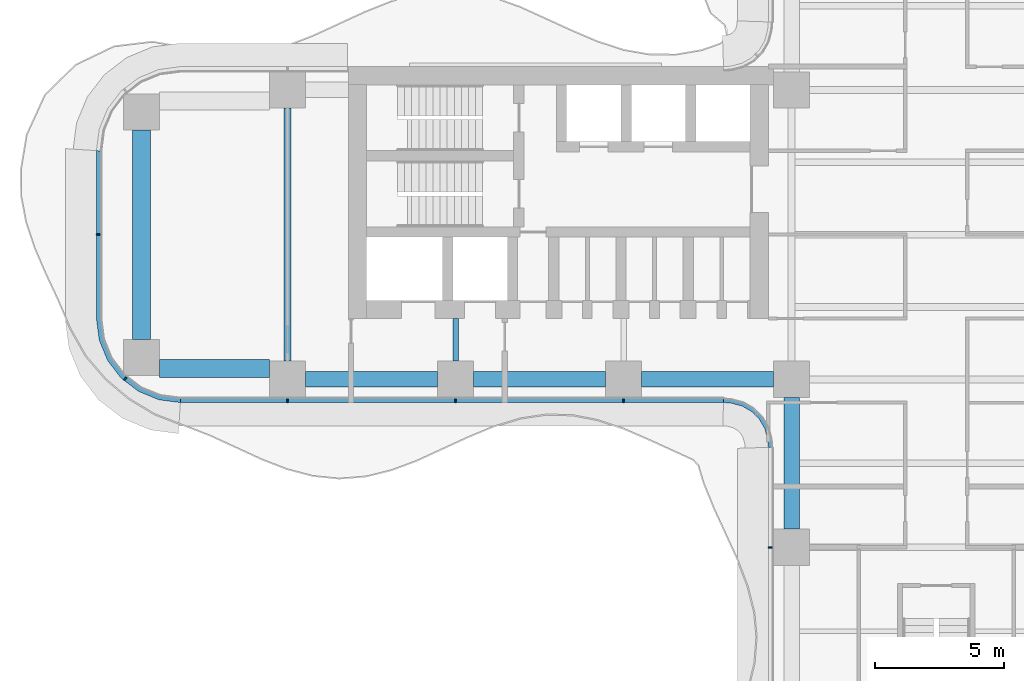
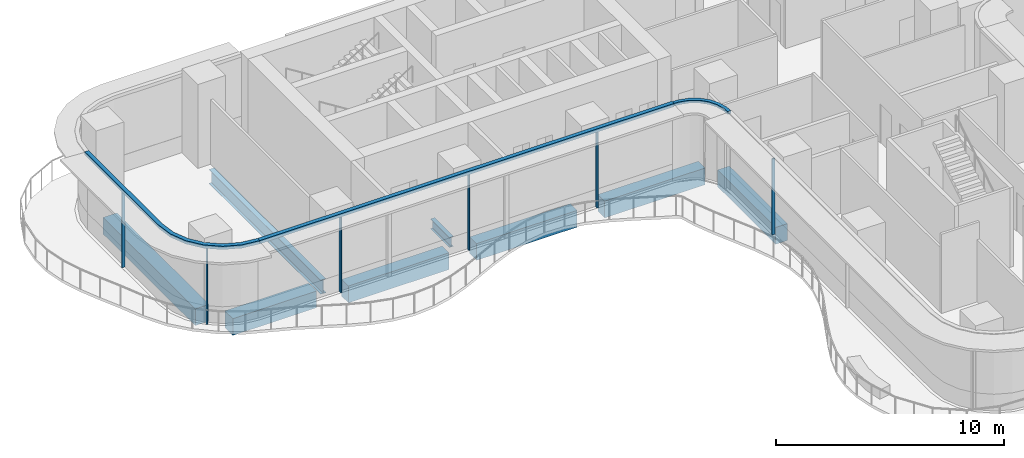
# One storey, part 3 of 22: 9 members, 8 beams, 4 elements without a shape of their own.
"""IFC4 building model written with IfcOpenShell, lengths in metres."""

import ifcopenshell
import ifcopenshell.guid

model = None  # the IFC model being written
_history = None  # IfcOwnerHistory: only IFC2X3 demands one
_inside = {}  # id of a spatial element -> (the spatial element, [elements in it])
_under = {}  # id of a project, library or spatial element -> (it, [spatial elements below it])
_declared = {}  # id of a project -> (the project, [libraries it declares])
_typed = {}  # id of a type object -> (the type object, [elements of that type])
_made_of = {}  # id of a material, layer set ... -> (it, [elements and type objects made of it])


def new_model(schema):
    """Start an empty IFC model of exactly this schema.

    Asked for "IFC4X3", IfcOpenShell would pick the latest addendum, in which some entities
    have other attributes; the version numbers below select the first issue.
    IFC2X3 requires an IfcOwnerHistory on every rooted entity: one is made here for all.
    """
    global model, _history
    if schema == "IFC4X3":
        model = ifcopenshell.file(schema_version=(4, 3, 0, 0))
    else:
        model = ifcopenshell.file(schema=schema)
    _inside.clear()
    _under.clear()
    _declared.clear()
    _typed.clear()
    _made_of.clear()
    _history = None
    if model.schema == "IFC2X3":
        org = make("IfcOrganization", Name="unknown")
        user = make(
            "IfcPersonAndOrganization",
            ThePerson=make("IfcPerson", FamilyName="unknown"),
            TheOrganization=org,
        )
        app = make(
            "IfcApplication",
            ApplicationDeveloper=org,
            Version="unknown",
            ApplicationFullName="unknown",
            ApplicationIdentifier="unknown",
        )
        _history = make(
            "IfcOwnerHistory",
            OwningUser=user,
            OwningApplication=app,
            ChangeAction="ADDED",
            CreationDate=0,
        )
    return model


def make(cls, **values):
    """One entity of the class cls with the attributes given. An attribute that is None is left unset."""
    return model.create_entity(
        cls, **{name: value for name, value in values.items() if value is not None}
    )


def rooted(cls, **values):
    """An entity with a GlobalId (a new one), such as an element, a storey or a relation."""
    return make(cls, GlobalId=ifcopenshell.guid.new(), OwnerHistory=_history, **values)


def si_unit(unit_type, name, prefix=None):
    """IfcSIUnit, for example si_unit("LENGTHUNIT", "METRE", prefix="MILLI")."""
    return make("IfcSIUnit", UnitType=unit_type, Prefix=prefix, Name=name)


def assignment(units):
    """IfcUnitAssignment: the units of a project."""
    return None if units is None else make("IfcUnitAssignment", Units=units)


def point(xyz):
    """IfcCartesianPoint."""
    return None if xyz is None else make("IfcCartesianPoint", Coordinates=xyz)


def direction(xyz):
    """IfcDirection."""
    return None if xyz is None else make("IfcDirection", DirectionRatios=xyz)


def frame(location, z_axis=None, x_axis=None):
    """IfcAxis2Placement3D, a coordinate frame: its origin and axes. An axis left out is left unset."""
    return make(
        "IfcAxis2Placement3D",
        Location=point(location),
        Axis=direction(z_axis),
        RefDirection=direction(x_axis),
    )


def frame_2d(location, x_axis=None):
    """IfcAxis2Placement2D, a coordinate frame in the plane: its origin and x axis."""
    return make(
        "IfcAxis2Placement2D", Location=point(location), RefDirection=direction(x_axis)
    )


def origin():
    """The frame at (0, 0, 0) with its axes left unset."""
    return frame((0.0, 0.0, 0.0))


def origin_2d():
    """The frame at (0, 0) in the plane with its x axis left unset."""
    return frame_2d((0.0, 0.0))


def place(relative_to, where):
    """IfcLocalPlacement: puts the frame where relative to a parent placement (None: the world)."""
    return make(
        "IfcLocalPlacement", PlacementRelTo=relative_to, RelativePlacement=where
    )


def context(
    kind, dimensions, precision=None, world=None, true_north=None, identifier=None
):
    """IfcGeometricRepresentationContext, for example the 3D "Model" context."""
    return make(
        "IfcGeometricRepresentationContext",
        ContextIdentifier=identifier,
        ContextType=kind,
        CoordinateSpaceDimension=dimensions,
        Precision=precision,
        WorldCoordinateSystem=world,
        TrueNorth=true_north,
    )


def subcontext(parent, identifier, kind, view, scale=None):
    """IfcGeometricRepresentationSubContext, for example "Body" below "Model"."""
    return make(
        "IfcGeometricRepresentationSubContext",
        ContextIdentifier=identifier,
        ContextType=kind,
        ParentContext=parent,
        TargetScale=scale,
        TargetView=view,
    )


def project(units=None, contexts=None):
    """IfcProject with its units and contexts."""
    return rooted(
        "IfcProject",
        Name="project",
        RepresentationContexts=contexts,
        UnitsInContext=assignment(units),
    )


def spatial(cls, under=None, at=None, **own):
    """A site, building, storey or space (cls), placed at a placement, below another one or the project."""
    s = rooted(cls, ObjectPlacement=at, **own)
    if under is not None:
        _under.setdefault(under.id(), (under, []))[1].append(s)
    return s


def polyline(points):
    """IfcPolyline through the points."""
    return make("IfcPolyline", Points=[point(p) for p in points])


def profile(cls, at=None, kind="AREA", **sizes):
    """A parametric profile (cls). Its sizes go by their IFC names, for example OverallWidth=200.0."""
    return make(cls, ProfileType=kind, Position=at, **sizes)


def rectangle(**sizes):
    """IfcRectangleProfileDef."""
    return profile("IfcRectangleProfileDef", **sizes)


def i_section(**sizes):
    """IfcIShapeProfileDef."""
    return profile("IfcIShapeProfileDef", **sizes)


def outline(outer, holes=None, kind="AREA"):
    """IfcArbitraryClosedProfileDef: a profile drawn as a closed curve; with holes, ...WithVoids."""
    if holes is None:
        return make("IfcArbitraryClosedProfileDef", ProfileType=kind, OuterCurve=outer)
    return make(
        "IfcArbitraryProfileDefWithVoids",
        ProfileType=kind,
        OuterCurve=outer,
        InnerCurves=holes,
    )


def extrude(swept, where, along, depth):
    """IfcExtrudedAreaSolid: the profile swept, set in the frame where, extruded along a direction by depth."""
    return make(
        "IfcExtrudedAreaSolid",
        SweptArea=swept,
        Position=where,
        ExtrudedDirection=direction(along),
        Depth=depth,
    )


def shape(context_of_items, identifier, shape_type, items):
    """IfcShapeRepresentation: the items that make up one representation, for example the "Body"."""
    return make(
        "IfcShapeRepresentation",
        ContextOfItems=context_of_items,
        RepresentationIdentifier=identifier,
        RepresentationType=shape_type,
        Items=items,
    )


def source(mapping_origin, context_of_items, identifier, shape_type, items):
    """IfcRepresentationMap: a shape defined once, which mapped items show again and again."""
    return make(
        "IfcRepresentationMap",
        MappingOrigin=mapping_origin,
        MappedRepresentation=shape(context_of_items, identifier, shape_type, items),
    )


def transform(
    local_origin,
    x_axis=None,
    y_axis=None,
    z_axis=None,
    scale=None,
    scale2=None,
    scale3=None,
    uniform=True,
):
    """IfcCartesianTransformationOperator3D, or its non-uniform kind. x_axis, y_axis, z_axis: its Axis1, 2, 3."""
    if uniform:
        return make(
            "IfcCartesianTransformationOperator3D",
            Axis1=direction(x_axis),
            Axis2=direction(y_axis),
            LocalOrigin=point(local_origin),
            Scale=scale,
            Axis3=direction(z_axis),
        )
    return make(
        "IfcCartesianTransformationOperator3DnonUniform",
        Axis1=direction(x_axis),
        Axis2=direction(y_axis),
        LocalOrigin=point(local_origin),
        Scale=scale,
        Axis3=direction(z_axis),
        Scale2=scale2,
        Scale3=scale3,
    )


def mapped(mapping_source, mapping_target):
    """IfcMappedItem: shows the shape of a source again, moved by a transform."""
    return make(
        "IfcMappedItem", MappingSource=mapping_source, MappingTarget=mapping_target
    )


def material(Name=None, Category=None):
    """IfcMaterial."""
    return make("IfcMaterial", Name=Name, Category=Category)


def layer(
    of_material, thickness, ventilated=None, Name=None, Category=None, Priority=None
):
    """IfcMaterialLayer: one layer of a wall or slab, of a material (None: an air gap)."""
    return make(
        "IfcMaterialLayer",
        Material=of_material,
        LayerThickness=thickness,
        IsVentilated=ventilated,
        Name=Name,
        Category=Category,
        Priority=Priority,
    )


def layer_set(layers, Name=None):
    """IfcMaterialLayerSet."""
    return make("IfcMaterialLayerSet", MaterialLayers=layers, LayerSetName=Name)


def material_profile(
    of_material, cross_section, Name=None, Category=None, Priority=None
):
    """IfcMaterialProfile: a cross section and its material."""
    return make(
        "IfcMaterialProfile",
        Name=Name,
        Material=of_material,
        Profile=cross_section,
        Priority=Priority,
        Category=Category,
    )


def profile_set(profiles, Name=None, composite=None):
    """IfcMaterialProfileSet."""
    return make(
        "IfcMaterialProfileSet",
        Name=Name,
        MaterialProfiles=profiles,
        CompositeProfile=composite,
    )


def made_of(thing, what):
    """Note that an element or type object is made of a material, layer set ...; save() writes the relation."""
    if what is not None:
        _made_of.setdefault(what.id(), (what, []))[1].append(thing)
    return thing


def type_object(cls, material=None, **own):
    """A type object (cls), such as IfcWallType, which elements share."""
    return made_of(rooted(cls, **own), material)


def element(
    cls,
    number,
    at=None,
    inside=None,
    cuts=None,
    type_object=None,
    material=None,
    context=None,
    identifier="Body",
    shape_type=None,
    held_by="IfcProductDefinitionShape",
    body=None,
    shapes=None,
    **own,
):
    """One element of the class cls, such as IfcWall. Its Tag is "e" and its number.

    at: its placement. inside: the storey or other place that contains it. cuts: it is an
    opening in that element (IfcRelVoidsElement). A single representation is given by context,
    identifier, shape_type and body (its items); several are given by shapes. held_by: the class
    of the entity that holds the representations. save() writes the other relations.
    """
    e = rooted(cls, Tag="e%d" % number, ObjectPlacement=at, **own)
    if body is not None:
        shapes = [shape(context, identifier, shape_type, body)]
    if shapes is not None:
        e.Representation = make(held_by, Representations=shapes)
    if inside is not None:
        _inside.setdefault(inside.id(), (inside, []))[1].append(e)
    if cuts is not None:
        rooted(
            "IfcRelVoidsElement", RelatingBuildingElement=cuts, RelatedOpeningElement=e
        )
    if type_object is not None:
        _typed.setdefault(type_object.id(), (type_object, []))[1].append(e)
    return made_of(e, material)


def aggregate(whole, parts):
    """IfcRelAggregates: a whole, such as a stair, and the parts it consists of."""
    return rooted("IfcRelAggregates", RelatingObject=whole, RelatedObjects=parts)


def save(model, path):
    """Write the relations noted so far, then the file.

    IfcRelAggregates (storeys below a building ...), IfcRelContainedInSpatialStructure (elements
    in a storey), IfcRelDefinesByType, IfcRelAssociatesMaterial and IfcRelDeclares: one each for
    every whole, place, type object, material and project.
    """
    for whole, parts in _under.values():
        aggregate(whole, parts)
    for where, things in _inside.values():
        rooted(
            "IfcRelContainedInSpatialStructure",
            RelatedElements=things,
            RelatingStructure=where,
        )
    for kind, things in _typed.values():
        rooted("IfcRelDefinesByType", RelatedObjects=things, RelatingType=kind)
    for what, things in _made_of.values():
        rooted("IfcRelAssociatesMaterial", RelatedObjects=things, RelatingMaterial=what)
    for by, libraries in _declared.values():
        rooted("IfcRelDeclares", RelatingContext=by, RelatedDefinitions=libraries)
    model.write(path)


model = new_model("IFC4")

# Units and contexts
model_context = context("Model", 3, precision=1e-05, world=origin(), true_north=direction((0.0, 1.0)))
body_context = subcontext(model_context, "Body", "Model", "MODEL_VIEW")
ifc_project = project(units=[si_unit("LENGTHUNIT", "METRE"), si_unit("AREAUNIT", "SQUARE_METRE"), si_unit("VOLUMEUNIT", "CUBIC_METRE"), si_unit("PLANEANGLEUNIT", "RADIAN"), si_unit("MASSUNIT", "GRAM", prefix="KILO")], contexts=[model_context])

# Site, building, storey
site_placement = place(None, origin())
site = spatial("IfcSite", under=ifc_project, at=site_placement, CompositionType="ELEMENT")
building_placement = place(site_placement, origin())
building = spatial("IfcBuilding", under=site, at=building_placement, Name="Trellis Farm Tower", CompositionType="ELEMENT")
storey_placement = place(building_placement, frame((0.0, 0.0, 47.5)))
storey = spatial("IfcBuildingStorey", under=building, at=storey_placement, Name="L09", CompositionType="ELEMENT", Elevation=47.5)

# Beams
ifc_material_1 = material(Name="Concrete C60/75", Category="concrete")
ifc_material_profile_1 = material_profile(ifc_material_1, rectangle(XDim=0.60009765625, YDim=0.89990234375, at=origin_2d()), Name="RC spandrel beam 600x900 C60/75")
ifc_profile_set_1 = profile_set([ifc_material_profile_1], Name="Concrete C60/75")
beam_type_1 = type_object("IfcBeamType", Name="RC spandrel beam 600x900 C60/75", PredefinedType="SPANDREL", material=ifc_profile_set_1)
shared_shape_1 = source(origin(), body_context, "Body", "SweptSolid", [
    extrude(rectangle(XDim=0.60009765625, YDim=0.89990234375, at=origin_2d()), origin(), (0.0, 0.0, 1.0), 5.099853515625),
])
for number, where, z_axis, x_axis, name in (
    (1, (-24.39990234375, -5.60009765625, -0.699951171875), (1.0, 0.0, 0.0), (0.0, 1.0, 0.0), "Girder"),
    (2, (-17.89990234375, -5.60009765625, -0.699951171875), (1.0, 0.0, 0.0), (0.0, 1.0, 0.0), "Girder"),
    (3, (-11.39990234375, -5.60009765625, -0.699951171875), (1.0, 0.0, 0.0), (0.0, 1.0, 0.0), "Girder"),
    (4, (-5.60009765625, -11.39990234375, -0.699951171875), (0.0, 1.0, 0.0), (-1.0, 0.0, 0.0), "Girder"),
):
    element("IfcBeam", number, at=place(storey_placement, frame(where, z_axis=z_axis, x_axis=x_axis)), inside=storey, type_object=beam_type_1, Name=name, PredefinedType="SPANDREL", context=body_context, shape_type="MappedRepresentation", body=[
        mapped(shared_shape_1, transform((0.0, 0.0, 0.0))),
    ])
ifc_material_2 = material(Name="Steel S355", Category="steel")
ifc_material_profile_2 = material_profile(ifc_material_2, i_section(OverallWidth=0.2666015625, OverallDepth=0.76220703125, WebThickness=0.014404296875, FlangeThickness=0.021484375, FilletRadius=0.0166015625, at=origin_2d()), Name="UB 762x267x173")
ifc_profile_set_2 = profile_set([ifc_material_profile_2], Name="Steel S355")
beam_type_2 = type_object("IfcBeamType", Name="UB 762x267x173", PredefinedType="BEAM", material=ifc_profile_set_2)
shared_shape_2 = source(origin(), body_context, "Body", "SweptSolid", [
    extrude(i_section(OverallWidth=0.2666015625, OverallDepth=0.76220703125, WebThickness=0.014404296875, FlangeThickness=0.021484375, FilletRadius=0.0166015625, at=origin_2d()), origin(), (0.0, 0.0, 1.0), 9.7998046875),
])
beam_1_placement = place(storey_placement, frame((-25.10009765625, -4.89990234375, -0.631103515625), z_axis=(0.0, 1.0, 0.0), x_axis=(-1.0, 0.0, 0.0)))
element("IfcBeam", 5, at=beam_1_placement, inside=storey, type_object=beam_type_2, Name="Girder", PredefinedType="BEAM", context=body_context, shape_type="MappedRepresentation", body=[
    mapped(shared_shape_2, transform((0.0, 0.0, 0.0))),
])
ifc_material_profile_3 = material_profile(ifc_material_1, rectangle(XDim=0.699951171875, YDim=0.89990234375, at=origin_2d()), Name="RC spandrel beam 700x900 C60/75")
ifc_profile_set_3 = profile_set([ifc_material_profile_3], Name="Concrete C60/75")
beam_type_3 = type_object("IfcBeamType", Name="RC spandrel beam 700x900 C60/75", PredefinedType="SPANDREL", material=ifc_profile_set_3)
shared_shape_3 = source(origin(), body_context, "Body", "SweptSolid", [
    extrude(rectangle(XDim=0.699951171875, YDim=0.89990234375, at=origin_2d()), origin(), (0.0, 0.0, 1.0), 4.25),
])
beam_2_placement = place(storey_placement, frame((-30.050048828125, -5.175048828125, -0.699951171875), z_axis=(1.0, 0.0, 0.0), x_axis=(0.0, 1.0, 0.0)))
element("IfcBeam", 6, at=beam_2_placement, inside=storey, type_object=beam_type_3, Name="Girder", PredefinedType="SPANDREL", context=body_context, shape_type="MappedRepresentation", body=[
    mapped(shared_shape_3, transform((0.0, 0.0, 0.0))),
])
shared_shape_4 = source(origin(), body_context, "Body", "SweptSolid", [
    extrude(rectangle(XDim=0.699951171875, YDim=0.89990234375, at=origin_2d()), origin(), (0.0, 0.0, 1.0), 8.10009765625),
])
beam_3_placement = place(storey_placement, frame((-30.75, -4.050048828125, -0.699951171875), z_axis=(0.0, 1.0, 0.0), x_axis=(-1.0, 0.0, 0.0)))
element("IfcBeam", 7, at=beam_3_placement, inside=storey, type_object=beam_type_3, Name="Girder", PredefinedType="SPANDREL", context=body_context, shape_type="MappedRepresentation", body=[
    mapped(shared_shape_4, transform((0.0, 0.0, 0.0))),
])
ifc_material_profile_4 = material_profile(ifc_material_2, i_section(OverallWidth=0.209228515625, OverallDepth=0.533203125, WebThickness=0.010009765625, FlangeThickness=0.015625, FilletRadius=0.0126953125, at=origin_2d()), Name="UB 533x210x92")
ifc_profile_set_4 = profile_set([ifc_material_profile_4], Name="Steel S355")
beam_type_4 = type_object("IfcBeamType", Name="UB 533x210x92", PredefinedType="BEAM", material=ifc_profile_set_4)
shared_shape_5 = source(origin(), body_context, "Body", "SweptSolid", [
    extrude(i_section(OverallWidth=0.209228515625, OverallDepth=0.533203125, WebThickness=0.010009765625, FlangeThickness=0.015625, FilletRadius=0.0126953125, at=origin_2d()), origin(), (0.0, 0.0, 1.0), 1.64990234375),
])
beam_4_placement = place(storey_placement, frame((-18.60009765625, -4.89990234375, -0.5166015625), z_axis=(0.0, 1.0, 0.0), x_axis=(-1.0, 0.0, 0.0)))
element("IfcBeam", 8, at=beam_4_placement, inside=storey, type_object=beam_type_4, Name="Girder", PredefinedType="BEAM", context=body_context, shape_type="MappedRepresentation", body=[
    mapped(shared_shape_5, transform((0.0, 0.0, 0.0))),
])

# Curtain wall, members
ifc_material_3 = material(Name="Aluminium and glass curtain wall", Category="aluminium")
ifc_layer_1 = layer(ifc_material_3, 0.18994140625)
ifc_layer_set_1 = layer_set([ifc_layer_1], Name="RIBBON CURTAIN WALL CW1")
curtain_wall_type_1 = type_object("IfcCurtainWallType", Name="RIBBON CURTAIN WALL CW1", PredefinedType="NOTDEFINED", material=ifc_layer_set_1)
placement_1 = place(storey_placement, origin())
curtain_wall_1 = element("IfcCurtainWall", 9, at=placement_1, inside=storey, type_object=curtain_wall_type_1, Name="CW1 001", PredefinedType="NOTDEFINED")
ifc_material_4 = material(Name="Aluminium extrusion 6063-T6", Category="aluminium")
ifc_material_profile_5 = material_profile(ifc_material_4, rectangle(XDim=0.06005859375, YDim=0.14990234375, at=origin_2d()), Name="MULLION 60x150")
ifc_profile_set_5 = profile_set([ifc_material_profile_5], Name="Aluminium extrusion 6063-T6")
member_type_1 = type_object("IfcMemberType", Name="CW1 MULLION 60x150", PredefinedType="MULLION", material=ifc_profile_set_5)
shared_shape_6 = source(origin(), body_context, "Body", "SweptSolid", [
    extrude(rectangle(XDim=0.06005859375, YDim=0.14990234375, at=origin_2d()), origin(), (0.0, 0.0, 1.0), 4.070068359375),
])
member_1_placement = place(storey_placement, frame((-25.10009765625, -6.425048828125, 0.0), z_axis=(0.0, 0.0, 1.0), x_axis=(1.0, 0.0, 0.0)))
member_1 = element("IfcMember", 10, at=member_1_placement, type_object=member_type_1, Name="MU1 001-01", PredefinedType="MULLION", context=body_context, shape_type="MappedRepresentation", body=[
    mapped(shared_shape_6, transform((0.0, 0.0, 0.0))),
])
member_2_placement = place(storey_placement, frame((-18.60009765625, -6.425048828125, 0.0), z_axis=(0.0, 0.0, 1.0), x_axis=(1.0, 0.0, 0.0)))
member_2 = element("IfcMember", 11, at=member_2_placement, type_object=member_type_1, Name="MU1 001-02", PredefinedType="MULLION", context=body_context, shape_type="MappedRepresentation", body=[
    mapped(shared_shape_6, transform((0.0, 0.0, 0.0))),
])
member_3_placement = place(storey_placement, frame((-12.10009765625, -6.425048828125, 0.0), z_axis=(0.0, 0.0, 1.0), x_axis=(1.0, 0.0, 0.0)))
member_3 = element("IfcMember", 12, at=member_3_placement, type_object=member_type_1, Name="MU1 001-03", PredefinedType="MULLION", context=body_context, shape_type="MappedRepresentation", body=[
    mapped(shared_shape_6, transform((0.0, 0.0, 0.0))),
])

# Curtain wall, member
curtain_wall_2 = element("IfcCurtainWall", 13, at=placement_1, inside=storey, type_object=curtain_wall_type_1, Name="CW1 002", PredefinedType="NOTDEFINED")
member_4_placement = place(storey_placement, frame((-6.425048828125, -12.10009765625, 0.0), z_axis=(0.0, 0.0, 1.0), x_axis=(0.0, -1.0, 0.0)))
member_4 = element("IfcMember", 14, at=member_4_placement, type_object=member_type_1, Name="MU1 002-01", PredefinedType="MULLION", context=body_context, shape_type="MappedRepresentation", body=[
    mapped(shared_shape_6, transform((0.0, 0.0, 0.0))),
])
aggregate(curtain_wall_2, [member_4])

# Curtain wall, members
curtain_wall_3 = element("IfcCurtainWall", 15, at=placement_1, inside=storey, type_object=curtain_wall_type_1, Name="CW1 013", PredefinedType="NOTDEFINED")
member_5_placement = place(storey_placement, frame((-32.425048828125, 0.0, 0.0), z_axis=(0.0, 0.0, 1.0), x_axis=(0.0, -1.0, 0.0)))
member_5 = element("IfcMember", 16, at=member_5_placement, type_object=member_type_1, Name="MU1 013-01", PredefinedType="MULLION", context=body_context, shape_type="MappedRepresentation", body=[
    mapped(shared_shape_6, transform((0.0, 0.0, 0.0))),
])
member_6_placement = place(storey_placement, frame((-31.385498046875, -5.578369140625, 0.0), z_axis=(0.0, 0.0, 1.0), x_axis=(0.793353340291, -0.608761429009, 0.0)))
member_6 = element("IfcMember", 17, at=member_6_placement, type_object=member_type_1, Name="MU1 013-02", PredefinedType="MULLION", context=body_context, shape_type="MappedRepresentation", body=[
    mapped(shared_shape_6, transform((0.0, 0.0, 0.0))),
])

# Member
ifc_layer_2 = layer(ifc_material_4, 0.199951171875)
ifc_layer_set_2 = layer_set([ifc_layer_2], Name="Aluminium extrusion 6063-T6")
member_type_2 = type_object("IfcMemberType", Name="CW1 TRANSOM 200x180", PredefinedType="USERDEFINED", material=ifc_layer_set_2)
shared_shape_7 = source(origin(), body_context, "Body", "SweptSolid", [
    extrude(outline(polyline([(-29.25, -6.5), (-8.2314453125, -6.5), (-8.224853515625, -6.300048828125), (-29.23681640625, -6.300048828125), (-29.25, -6.5)])), origin(), (0.0, 0.0, 1.0), 0.179931640625),
])
placement_2 = place(storey_placement, frame((0.0, 0.0, 4.070068359375)))
member_7 = element("IfcMember", 18, at=placement_2, type_object=member_type_2, Name="TR1 001", ObjectType="TRANSOM", PredefinedType="USERDEFINED", context=body_context, shape_type="MappedRepresentation", body=[
    mapped(shared_shape_7, transform((0.0, 0.0, 0.0))),
])

aggregate(curtain_wall_1, [member_1, member_2, member_3, member_7])

# Curtain wall, member
ifc_layer_3 = layer(ifc_material_3, 0.166015625)
ifc_layer_set_3 = layer_set([ifc_layer_3], Name="WINTER GARDEN CURTAIN WALL CW3")
curtain_wall_type_2 = type_object("IfcCurtainWallType", Name="WINTER GARDEN CURTAIN WALL CW3", PredefinedType="NOTDEFINED", material=ifc_layer_set_3)
curtain_wall_4 = element("IfcCurtainWall", 19, at=placement_1, inside=storey, type_object=curtain_wall_type_2, Name="CW3 001", PredefinedType="NOTDEFINED")
ifc_layer_4 = layer(ifc_material_4, 0.169921875)
ifc_layer_set_4 = layer_set([ifc_layer_4], Name="Aluminium extrusion 6063-T6")
member_type_3 = type_object("IfcMemberType", Name="CW3 TRANSOM 170x150", PredefinedType="USERDEFINED", material=ifc_layer_set_4)
shared_shape_8 = source(origin(), body_context, "Body", "SweptSolid", [
    extrude(outline(polyline([(-8.2314453125, -6.5), (-8.01953125, -6.513916015625), (-7.91552734375, -6.527587890625), (-7.508544921875, -6.63671875), (-7.144287109375, -6.846923828125), (-6.846923828125, -7.144287109375), (-6.63671875, -7.508544921875), (-6.527587890625, -7.91552734375), (-6.513916015625, -8.01953125), (-6.5, -8.2314453125), (-6.330078125, -8.225830078125), (-6.3447265625, -8.0029296875), (-6.360595703125, -7.88232421875), (-6.478271484375, -7.44287109375), (-6.7109375, -7.0400390625), (-7.0400390625, -6.7109375), (-7.44287109375, -6.478271484375), (-7.88232421875, -6.360595703125), (-8.0029296875, -6.3447265625), (-8.225830078125, -6.330078125), (-8.2314453125, -6.5)])), origin(), (0.0, 0.0, 1.0), 0.14990234375),
])
member_8_placement = place(storey_placement, frame((0.0, 0.0, 4.10009765625)))
member_8 = element("IfcMember", 20, at=member_8_placement, type_object=member_type_3, Name="TR3 001", ObjectType="TRANSOM", PredefinedType="USERDEFINED", context=body_context, shape_type="MappedRepresentation", body=[
    mapped(shared_shape_8, transform((0.0, 0.0, 0.0))),
])
aggregate(curtain_wall_4, [member_8])

# Member
shared_shape_9 = source(origin(), body_context, "Body", "SweptSolid", [
    extrude(outline(polyline([(-32.5, 3.25), (-32.5, -3.25), (-32.38916015625, -4.091064453125), (-32.064697265625, -4.875), (-31.548095703125, -5.548095703125), (-30.875, -6.064697265625), (-30.091064453125, -6.38916015625), (-29.25, -6.5), (-29.23681640625, -6.300048828125), (-30.0390625, -6.1943359375), (-30.774169921875, -5.889892578125), (-31.405517578125, -5.405517578125), (-31.889892578125, -4.774169921875), (-32.1943359375, -4.0390625), (-32.300048828125, -3.23681640625), (-32.300048828125, 3.23681640625), (-32.5, 3.25)])), origin(), (0.0, 0.0, 1.0), 0.179931640625),
])
member_9 = element("IfcMember", 21, at=placement_2, type_object=member_type_2, Name="TR1 013", ObjectType="TRANSOM", PredefinedType="USERDEFINED", context=body_context, shape_type="MappedRepresentation", body=[
    mapped(shared_shape_9, transform((0.0, 0.0, 0.0))),
])

aggregate(curtain_wall_3, [member_5, member_6, member_9])

save(model, "model.ifc")
